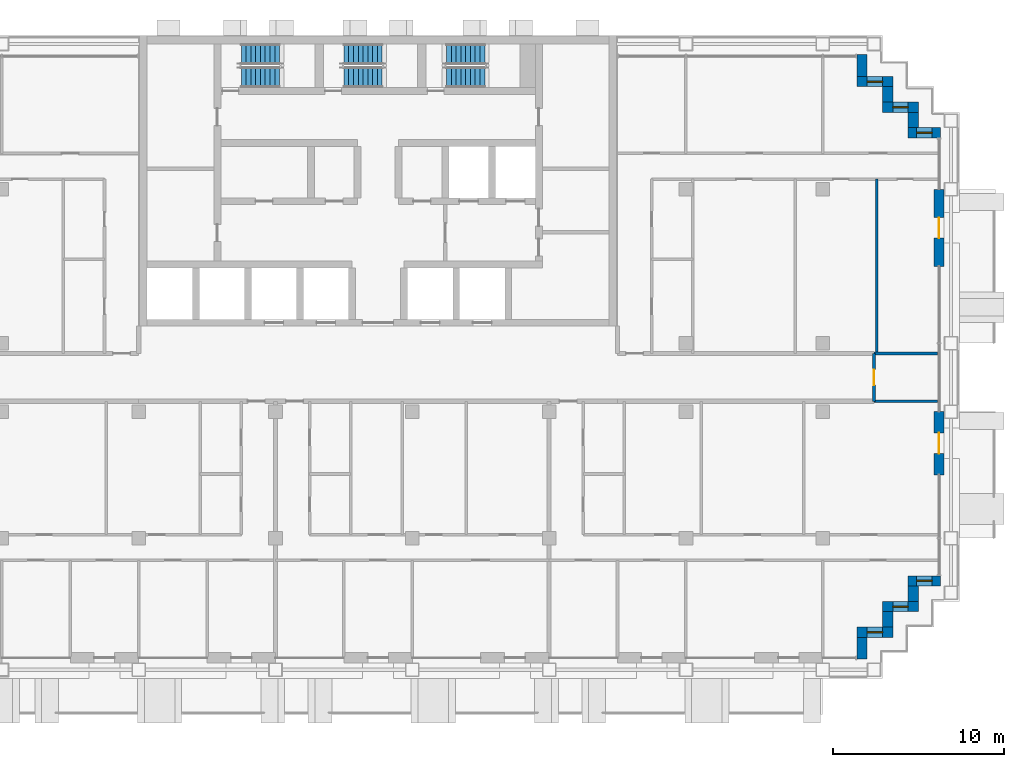
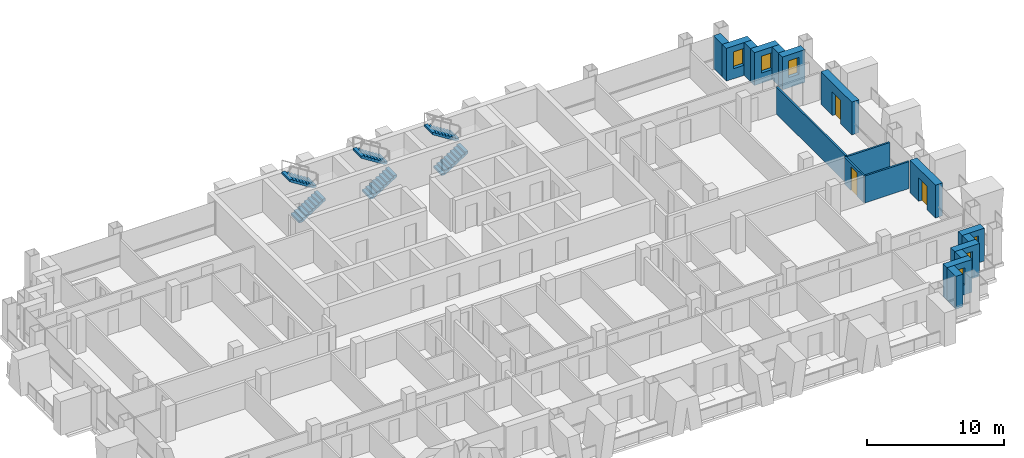
# One storey, part 12 of 16: 18 walls, 6 stair flights, 6 windows, 3 doors, 9 openings, 3 elements without a shape of their own.
"""IFC4 building model written with IfcOpenShell, lengths in metres."""

from ifc_helpers import new_model, si_unit, direction, frame, frame_2d, origin, place, context, subcontext, project, spatial, polyline, rectangle, outline, extrude, material, layer, layer_set, type_object, element, fill, aggregate, save


model = new_model("IFC4")

# Units and contexts
model_context = context("Model", 3, precision=1e-05, world=origin(), true_north=direction((0.0, 1.0)))
body_context = subcontext(model_context, "Body", "Model", "MODEL_VIEW")
ifc_project = project(units=[si_unit("LENGTHUNIT", "METRE"), si_unit("AREAUNIT", "SQUARE_METRE"), si_unit("VOLUMEUNIT", "CUBIC_METRE"), si_unit("PLANEANGLEUNIT", "RADIAN"), si_unit("MASSUNIT", "GRAM", prefix="KILO")], contexts=[model_context])

# Site, building, storey
site_placement = place(None, origin())
site = spatial("IfcSite", under=ifc_project, at=site_placement, CompositionType="ELEMENT")
building_placement = place(site_placement, origin())
building = spatial("IfcBuilding", under=site, at=building_placement, Name="Vidyagriha Tower", CompositionType="ELEMENT")
storey_placement = place(building_placement, frame((0.0, 0.0, 129.39990234375)))
storey = spatial("IfcBuildingStorey", under=building, at=storey_placement, Name="L33", CompositionType="ELEMENT", Elevation=129.39990234375)

# Wall, opening, window
ifc_material_1 = material(Name="Precast concrete C40/50 with brick facing", Category="concrete")
ifc_layer_1 = layer(ifc_material_1, 0.60009765625)
ifc_layer_set_1 = layer_set([ifc_layer_1], Name="Precast concrete C40/50 with brick facing")
wall_type_1 = type_object("IfcWallType", Name="Brick-faced precast wall 600", PredefinedType="STANDARD", material=ifc_layer_set_1)
wall_1_placement = place(storey_placement, frame((32.8798828125, 14.300048828125, 0.0), z_axis=(0.0, 0.0, 1.0), x_axis=(-1.0, 0.0, 0.0)))
wall_1 = element("IfcWall", 1, at=wall_1_placement, inside=storey, type_object=wall_type_1, Name="Stepped corner wall L33 R01", PredefinedType="STANDARD", context=body_context, shape_type="SweptSolid", body=[
    extrude(rectangle(XDim=1.8798828125, YDim=0.60009765625, at=frame_2d((0.93994140625, 0.0))), origin(), (0.0, 0.0, 1.0), 2.920166015625),
])
opening_1_placement = place(wall_1_placement, frame((0.489990234375, 0.0, 0.89990234375)))
opening_1 = element("IfcOpeningElement", 2, at=opening_1_placement, cuts=wall_1, Name="Opening WN1", PredefinedType="OPENING", context=body_context, shape_type="SweptSolid", body=[
    extrude(rectangle(XDim=0.89990234375, YDim=1.5, at=frame_2d((0.449951171875, 0.75))), frame((0.0, 0.31005859375, 0.0), z_axis=(0.0, -1.0, 0.0), x_axis=(1.0, 0.0, 0.0)), (0.0, 0.0, 1.0), 0.6201171875),
])
ifc_material_2 = material(Name="Aluminium and glass window", Category="aluminium")
window_type = type_object("IfcWindowType", Name="Reveal window 900x1500", PartitioningType="NOTDEFINED", PredefinedType="WINDOW", material=ifc_material_2)
window_1_placement = place(opening_1_placement, origin())
window_1 = element("IfcWindow", 3, at=window_1_placement, inside=storey, type_object=window_type, Name="Reveal window L33 R01", OverallHeight=1.5, OverallWidth=0.89990234375, PartitioningType="SINGLE_PANEL", PredefinedType="WINDOW", context=body_context, shape_type="SweptSolid", body=[
    extrude(rectangle(XDim=0.89990234375, YDim=1.5, at=frame_2d((0.449951171875, 0.75))), frame((0.0, 0.030029296875, 0.0), z_axis=(0.0, -1.0, 0.0), x_axis=(1.0, 0.0, 0.0)), (0.0, 0.0, 1.0), 0.06005859375),
])
fill(opening_1, window_1)

# Wall
wall_2_placement = place(storey_placement, frame((31.300048828125, 14.60009765625, 0.0), z_axis=(0.0, 0.0, 1.0), x_axis=(0.0, 1.0, 0.0)))
element("IfcWall", 4, at=wall_2_placement, inside=storey, type_object=wall_type_1, Name="Stepped corner wall L33 R02", PredefinedType="STANDARD", context=body_context, shape_type="SweptSolid", body=[
    extrude(rectangle(XDim=0.89990234375, YDim=0.60009765625, at=frame_2d((0.449951171875, 0.0))), origin(), (0.0, 0.0, 1.0), 2.920166015625),
])

# Wall, opening, window
wall_3_placement = place(storey_placement, frame((31.60009765625, 15.800048828125, 0.0), z_axis=(0.0, 0.0, 1.0), x_axis=(-1.0, 0.0, 0.0)))
wall_3 = element("IfcWall", 5, at=wall_3_placement, inside=storey, type_object=wall_type_1, Name="Stepped corner wall L33 R03", PredefinedType="STANDARD", context=body_context, shape_type="SweptSolid", body=[
    extrude(rectangle(XDim=2.10009765625, YDim=0.60009765625, at=frame_2d((1.050048828125, 0.0))), origin(), (0.0, 0.0, 1.0), 2.920166015625),
])
opening_2_placement = place(wall_3_placement, frame((0.60009765625, 0.0, 0.89990234375)))
opening_2 = element("IfcOpeningElement", 6, at=opening_2_placement, cuts=wall_3, Name="Opening WN1", PredefinedType="OPENING", context=body_context, shape_type="SweptSolid", body=[
    extrude(rectangle(XDim=0.89990234375, YDim=1.5, at=frame_2d((0.449951171875, 0.75))), frame((0.0, 0.31005859375, 0.0), z_axis=(0.0, -1.0, 0.0), x_axis=(1.0, 0.0, 0.0)), (0.0, 0.0, 1.0), 0.6201171875),
])
window_2_placement = place(opening_2_placement, origin())
window_2 = element("IfcWindow", 7, at=window_2_placement, inside=storey, type_object=window_type, Name="Reveal window L33 R03", OverallHeight=1.5, OverallWidth=0.89990234375, PartitioningType="SINGLE_PANEL", PredefinedType="WINDOW", context=body_context, shape_type="SweptSolid", body=[
    extrude(rectangle(XDim=0.89990234375, YDim=1.5, at=frame_2d((0.449951171875, 0.75))), frame((0.0, 0.030029296875, 0.0), z_axis=(0.0, -1.0, 0.0), x_axis=(1.0, 0.0, 0.0)), (0.0, 0.0, 1.0), 0.06005859375),
])
fill(opening_2, window_2)

# Wall
wall_4_placement = place(storey_placement, frame((29.800048828125, 16.10009765625, 0.0), z_axis=(0.0, 0.0, 1.0), x_axis=(0.0, 1.0, 0.0)))
element("IfcWall", 8, at=wall_4_placement, inside=storey, type_object=wall_type_1, Name="Stepped corner wall L33 R04", PredefinedType="STANDARD", context=body_context, shape_type="SweptSolid", body=[
    extrude(rectangle(XDim=0.89990234375, YDim=0.60009765625, at=frame_2d((0.449951171875, 0.0))), origin(), (0.0, 0.0, 1.0), 2.920166015625),
])

# Wall, opening, window
wall_5_placement = place(storey_placement, frame((30.10009765625, 17.300048828125, 0.0), z_axis=(0.0, 0.0, 1.0), x_axis=(-1.0, 0.0, 0.0)))
wall_5 = element("IfcWall", 9, at=wall_5_placement, inside=storey, type_object=wall_type_1, Name="Stepped corner wall L33 R05", PredefinedType="STANDARD", context=body_context, shape_type="SweptSolid", body=[
    extrude(rectangle(XDim=2.10009765625, YDim=0.60009765625, at=frame_2d((1.050048828125, 0.0))), origin(), (0.0, 0.0, 1.0), 2.920166015625),
])
opening_3_placement = place(wall_5_placement, frame((0.60009765625, 0.0, 0.89990234375)))
opening_3 = element("IfcOpeningElement", 10, at=opening_3_placement, cuts=wall_5, Name="Opening WN1", PredefinedType="OPENING", context=body_context, shape_type="SweptSolid", body=[
    extrude(rectangle(XDim=0.89990234375, YDim=1.5, at=frame_2d((0.449951171875, 0.75))), frame((0.0, 0.31005859375, 0.0), z_axis=(0.0, -1.0, 0.0), x_axis=(1.0, 0.0, 0.0)), (0.0, 0.0, 1.0), 0.6201171875),
])
window_3_placement = place(opening_3_placement, origin())
window_3 = element("IfcWindow", 11, at=window_3_placement, inside=storey, type_object=window_type, Name="Reveal window L33 R05", OverallHeight=1.5, OverallWidth=0.89990234375, PartitioningType="SINGLE_PANEL", PredefinedType="WINDOW", context=body_context, shape_type="SweptSolid", body=[
    extrude(rectangle(XDim=0.89990234375, YDim=1.5, at=frame_2d((0.449951171875, 0.75))), frame((0.0, 0.030029296875, 0.0), z_axis=(0.0, -1.0, 0.0), x_axis=(1.0, 0.0, 0.0)), (0.0, 0.0, 1.0), 0.06005859375),
])
fill(opening_3, window_3)

# Walls
wall_6_placement = place(storey_placement, frame((28.300048828125, 17.60009765625, 0.0), z_axis=(0.0, 0.0, 1.0), x_axis=(0.0, 1.0, 0.0)))
element("IfcWall", 12, at=wall_6_placement, inside=storey, type_object=wall_type_1, Name="Stepped corner wall L33 R06", PredefinedType="STANDARD", context=body_context, shape_type="SweptSolid", body=[
    extrude(rectangle(XDim=1.27978515625, YDim=0.60009765625, at=frame_2d((0.639892578125, 0.0))), origin(), (0.0, 0.0, 1.0), 2.920166015625),
])
wall_7_placement = place(storey_placement, frame((28.300048828125, -16.47998046875, 0.0), z_axis=(0.0, 0.0, 1.0), x_axis=(0.0, 1.0, 0.0)))
element("IfcWall", 13, at=wall_7_placement, inside=storey, type_object=wall_type_1, Name="Stepped corner wall L33 R24", PredefinedType="STANDARD", context=body_context, shape_type="SweptSolid", body=[
    extrude(rectangle(XDim=1.280029296875, YDim=0.60009765625, at=frame_2d((0.64013671875, 0.0))), origin(), (0.0, 0.0, 1.0), 2.920166015625),
])

# Wall, opening, window
wall_8_placement = place(storey_placement, frame((28.0, -14.89990234375, 0.0)))
wall_8 = element("IfcWall", 14, at=wall_8_placement, inside=storey, type_object=wall_type_1, Name="Stepped corner wall L33 R25", PredefinedType="STANDARD", context=body_context, shape_type="SweptSolid", body=[
    extrude(rectangle(XDim=2.10009765625, YDim=0.60009765625, at=frame_2d((1.050048828125, 0.0))), origin(), (0.0, 0.0, 1.0), 2.920166015625),
])
opening_4_placement = place(wall_8_placement, frame((0.60009765625, 0.0, 0.89990234375)))
opening_4 = element("IfcOpeningElement", 15, at=opening_4_placement, cuts=wall_8, Name="Opening WN1", PredefinedType="OPENING", context=body_context, shape_type="SweptSolid", body=[
    extrude(rectangle(XDim=0.89990234375, YDim=1.5, at=frame_2d((0.449951171875, 0.75))), frame((0.0, 0.31005859375, 0.0), z_axis=(0.0, -1.0, 0.0), x_axis=(1.0, 0.0, 0.0)), (0.0, 0.0, 1.0), 0.6201171875),
])
window_4_placement = place(opening_4_placement, origin())
window_4 = element("IfcWindow", 16, at=window_4_placement, inside=storey, type_object=window_type, Name="Reveal window L33 R25", OverallHeight=1.5, OverallWidth=0.89990234375, PartitioningType="SINGLE_PANEL", PredefinedType="WINDOW", context=body_context, shape_type="SweptSolid", body=[
    extrude(rectangle(XDim=0.89990234375, YDim=1.5, at=frame_2d((0.449951171875, 0.75))), frame((0.0, 0.030029296875, 0.0), z_axis=(0.0, -1.0, 0.0), x_axis=(1.0, 0.0, 0.0)), (0.0, 0.0, 1.0), 0.06005859375),
])
fill(opening_4, window_4)

# Wall
wall_9_placement = place(storey_placement, frame((29.800048828125, -14.60009765625, 0.0), z_axis=(0.0, 0.0, 1.0), x_axis=(0.0, 1.0, 0.0)))
element("IfcWall", 17, at=wall_9_placement, inside=storey, type_object=wall_type_1, Name="Stepped corner wall L33 R26", PredefinedType="STANDARD", context=body_context, shape_type="SweptSolid", body=[
    extrude(rectangle(XDim=0.900146484375, YDim=0.60009765625, at=frame_2d((0.4501953125, 0.0))), origin(), (0.0, 0.0, 1.0), 2.920166015625),
])

# Wall, opening, window
wall_10_placement = place(storey_placement, frame((29.5, -13.39990234375, 0.0)))
wall_10 = element("IfcWall", 18, at=wall_10_placement, inside=storey, type_object=wall_type_1, Name="Stepped corner wall L33 R27", PredefinedType="STANDARD", context=body_context, shape_type="SweptSolid", body=[
    extrude(rectangle(XDim=2.10009765625, YDim=0.60009765625, at=frame_2d((1.050048828125, 0.0))), origin(), (0.0, 0.0, 1.0), 2.920166015625),
])
opening_5_placement = place(wall_10_placement, frame((0.60009765625, 0.0, 0.89990234375)))
opening_5 = element("IfcOpeningElement", 19, at=opening_5_placement, cuts=wall_10, Name="Opening WN1", PredefinedType="OPENING", context=body_context, shape_type="SweptSolid", body=[
    extrude(rectangle(XDim=0.89990234375, YDim=1.5, at=frame_2d((0.449951171875, 0.75))), frame((0.0, 0.31005859375, 0.0), z_axis=(0.0, -1.0, 0.0), x_axis=(1.0, 0.0, 0.0)), (0.0, 0.0, 1.0), 0.6201171875),
])
window_5_placement = place(opening_5_placement, origin())
window_5 = element("IfcWindow", 20, at=window_5_placement, inside=storey, type_object=window_type, Name="Reveal window L33 R27", OverallHeight=1.5, OverallWidth=0.89990234375, PartitioningType="SINGLE_PANEL", PredefinedType="WINDOW", context=body_context, shape_type="SweptSolid", body=[
    extrude(rectangle(XDim=0.89990234375, YDim=1.5, at=frame_2d((0.449951171875, 0.75))), frame((0.0, 0.030029296875, 0.0), z_axis=(0.0, -1.0, 0.0), x_axis=(1.0, 0.0, 0.0)), (0.0, 0.0, 1.0), 0.06005859375),
])
fill(opening_5, window_5)

# Wall
wall_11_placement = place(storey_placement, frame((31.300048828125, -13.10009765625, 0.0), z_axis=(0.0, 0.0, 1.0), x_axis=(0.0, 1.0, 0.0)))
element("IfcWall", 21, at=wall_11_placement, inside=storey, type_object=wall_type_1, Name="Stepped corner wall L33 R28", PredefinedType="STANDARD", context=body_context, shape_type="SweptSolid", body=[
    extrude(rectangle(XDim=0.900146484375, YDim=0.60009765625, at=frame_2d((0.4501953125, 0.0))), origin(), (0.0, 0.0, 1.0), 2.920166015625),
])

# Wall, opening, window
wall_12_placement = place(storey_placement, frame((31.0, -11.89990234375, 0.0)))
wall_12 = element("IfcWall", 22, at=wall_12_placement, inside=storey, type_object=wall_type_1, Name="Stepped corner wall L33 R29", PredefinedType="STANDARD", context=body_context, shape_type="SweptSolid", body=[
    extrude(rectangle(XDim=1.8798828125, YDim=0.60009765625, at=frame_2d((0.93994140625, 0.0))), origin(), (0.0, 0.0, 1.0), 2.920166015625),
])
opening_6_placement = place(wall_12_placement, frame((0.489990234375, 0.0, 0.89990234375)))
opening_6 = element("IfcOpeningElement", 23, at=opening_6_placement, cuts=wall_12, Name="Opening WN1", PredefinedType="OPENING", context=body_context, shape_type="SweptSolid", body=[
    extrude(rectangle(XDim=0.89990234375, YDim=1.5, at=frame_2d((0.449951171875, 0.75))), frame((0.0, 0.31005859375, 0.0), z_axis=(0.0, -1.0, 0.0), x_axis=(1.0, 0.0, 0.0)), (0.0, 0.0, 1.0), 0.6201171875),
])
window_6_placement = place(opening_6_placement, origin())
window_6 = element("IfcWindow", 24, at=window_6_placement, inside=storey, type_object=window_type, Name="Reveal window L33 R29", OverallHeight=1.5, OverallWidth=0.89990234375, PartitioningType="SINGLE_PANEL", PredefinedType="WINDOW", context=body_context, shape_type="SweptSolid", body=[
    extrude(rectangle(XDim=0.89990234375, YDim=1.5, at=frame_2d((0.449951171875, 0.75))), frame((0.0, 0.030029296875, 0.0), z_axis=(0.0, -1.0, 0.0), x_axis=(1.0, 0.0, 0.0)), (0.0, 0.0, 1.0), 0.06005859375),
])
fill(opening_6, window_6)

# Wall, opening, door
wall_13_placement = place(storey_placement, frame((32.800048828125, -5.699951171875, 0.0), z_axis=(0.0, 0.0, 1.0), x_axis=(0.0, 1.0, 0.0)))
wall_13 = element("IfcWall", 25, at=wall_13_placement, inside=storey, type_object=wall_type_1, Name="Brick door bay wall L33 R30.3", PredefinedType="STANDARD", context=body_context, shape_type="SweptSolid", body=[
    extrude(rectangle(XDim=3.699951171875, YDim=0.60009765625, at=frame_2d((1.85009765625, 0.0))), origin(), (0.0, 0.0, 1.0), 2.920166015625),
])
opening_7_placement = place(wall_13_placement, frame((1.25, 0.0, 0.0)))
opening_7 = element("IfcOpeningElement", 26, at=opening_7_placement, cuts=wall_13, Name="Opening D33-74", PredefinedType="OPENING", context=body_context, shape_type="SweptSolid", body=[
    extrude(rectangle(XDim=1.199951171875, YDim=2.10009765625, at=frame_2d((0.60009765625, 1.050048828125))), frame((0.0, 0.31005859375, 0.0), z_axis=(0.0, -1.0, 0.0), x_axis=(1.0, 0.0, 0.0)), (0.0, 0.0, 1.0), 0.6201171875),
])
ifc_material_3 = material(Name="Aluminium framed glazed sliding door", Category="aluminium")
door_type_1 = type_object("IfcDoorType", Name="Balcony sliding door 1200x2100", OperationType="NOTDEFINED", PredefinedType="DOOR", material=ifc_material_3)
door_1_placement = place(opening_7_placement, origin())
door_1 = element("IfcDoor", 27, at=door_1_placement, inside=storey, type_object=door_type_1, Name="Door D33-74", OperationType="SLIDING_TO_LEFT", OverallHeight=2.10009765625, OverallWidth=1.199951171875, PredefinedType="DOOR", context=body_context, shape_type="SweptSolid", body=[
    extrude(rectangle(XDim=1.199951171875, YDim=2.10009765625, at=frame_2d((0.60009765625, 1.050048828125))), frame((0.0, 0.02490234375, 0.0), z_axis=(0.0, -1.0, 0.0), x_axis=(1.0, 0.0, 0.0)), (0.0, 0.0, 1.0), 0.050048828125),
])
fill(opening_7, door_1)

wall_14_placement = place(storey_placement, frame((32.800048828125, 6.5, 0.0), z_axis=(0.0, 0.0, 1.0), x_axis=(0.0, 1.0, 0.0)))
wall_14 = element("IfcWall", 28, at=wall_14_placement, inside=storey, type_object=wall_type_1, Name="Brick door bay wall L33 R30.6", PredefinedType="STANDARD", context=body_context, shape_type="SweptSolid", body=[
    extrude(rectangle(XDim=4.5, YDim=0.60009765625, at=frame_2d((2.25, 0.0))), origin(), (0.0, 0.0, 1.0), 2.920166015625),
])
opening_8_placement = place(wall_14_placement, frame((1.64990234375, 0.0, 0.0)))
opening_8 = element("IfcOpeningElement", 29, at=opening_8_placement, cuts=wall_14, Name="Opening D33-75", PredefinedType="OPENING", context=body_context, shape_type="SweptSolid", body=[
    extrude(rectangle(XDim=1.199951171875, YDim=2.10009765625, at=frame_2d((0.60009765625, 1.050048828125))), frame((0.0, 0.31005859375, 0.0), z_axis=(0.0, -1.0, 0.0), x_axis=(1.0, 0.0, 0.0)), (0.0, 0.0, 1.0), 0.6201171875),
])
door_2_placement = place(opening_8_placement, origin())
door_2 = element("IfcDoor", 30, at=door_2_placement, inside=storey, type_object=door_type_1, Name="Door D33-75", OperationType="SLIDING_TO_LEFT", OverallHeight=2.10009765625, OverallWidth=1.199951171875, PredefinedType="DOOR", context=body_context, shape_type="SweptSolid", body=[
    extrude(rectangle(XDim=1.199951171875, YDim=2.10009765625, at=frame_2d((0.60009765625, 1.050048828125))), frame((0.0, 0.02490234375, 0.0), z_axis=(0.0, -1.0, 0.0), x_axis=(1.0, 0.0, 0.0)), (0.0, 0.0, 1.0), 0.050048828125),
])
fill(opening_8, door_2)

# Walls
ifc_material_4 = material(Name="Gypsum board partition")
ifc_layer_2 = layer(ifc_material_4, 0.14990234375)
ifc_layer_set_2 = layer_set([ifc_layer_2], Name="Gypsum board partition")
wall_type_2 = type_object("IfcWallType", Name="Gypsum board partition 150", PredefinedType="PARTITIONING", material=ifc_layer_set_2)
wall_15_placement = place(storey_placement, frame((32.719970703125, -1.39990234375, 0.0), z_axis=(0.0, 0.0, 1.0), x_axis=(-1.0, 0.0, 0.0)))
element("IfcWall", 31, at=wall_15_placement, inside=storey, type_object=wall_type_2, Name="Wall all-L33-w066", PredefinedType="PARTITIONING", context=body_context, shape_type="SweptSolid", body=[
    extrude(rectangle(XDim=3.719970703125, YDim=0.14990234375, at=frame_2d((1.85986328125, 0.0))), origin(), (0.0, 0.0, 1.0), 2.400146484375),
])
wall_16_placement = place(storey_placement, frame((29.14990234375, 11.60009765625, 0.0), z_axis=(0.0, 0.0, 1.0), x_axis=(0.0, -1.0, 0.0)))
element("IfcWall", 32, at=wall_16_placement, inside=storey, type_object=wall_type_2, Name="Wall all-L33-w096", PredefinedType="PARTITIONING", context=body_context, shape_type="SweptSolid", body=[
    extrude(rectangle(XDim=10.2001953125, YDim=0.14990234375, at=frame_2d((5.10009765625, 0.0))), origin(), (0.0, 0.0, 1.0), 2.400146484375),
])
wall_17_placement = place(storey_placement, frame((29.0, 1.39990234375, 0.0)))
element("IfcWall", 33, at=wall_17_placement, inside=storey, type_object=wall_type_2, Name="Wall all-L33-w109", PredefinedType="PARTITIONING", context=body_context, shape_type="SweptSolid", body=[
    extrude(rectangle(XDim=3.719970703125, YDim=0.14990234375, at=frame_2d((1.85986328125, 0.0))), origin(), (0.0, 0.0, 1.0), 2.400146484375),
])

# Wall, opening, door
wall_18_placement = place(storey_placement, frame((29.0, -1.39990234375, 0.0), z_axis=(0.0, 0.0, 1.0), x_axis=(0.0, 1.0, 0.0)))
wall_18 = element("IfcWall", 34, at=wall_18_placement, inside=storey, type_object=wall_type_2, Name="Wall all-L33-w112", PredefinedType="PARTITIONING", context=body_context, shape_type="SweptSolid", body=[
    extrude(rectangle(XDim=2.7998046875, YDim=0.14990234375, at=frame_2d((1.39990234375, 0.0))), origin(), (0.0, 0.0, 1.0), 2.400146484375),
])
opening_9_placement = place(wall_18_placement, frame((0.949951171875, 0.0, 0.0)))
opening_9 = element("IfcOpeningElement", 35, at=opening_9_placement, cuts=wall_18, Name="Opening D33-64", PredefinedType="OPENING", context=body_context, shape_type="SweptSolid", body=[
    extrude(rectangle(XDim=0.89990234375, YDim=2.10009765625, at=frame_2d((0.449951171875, 1.050048828125))), frame((0.0, 0.0849609375, 0.0), z_axis=(0.0, -1.0, 0.0), x_axis=(1.0, 0.0, 0.0)), (0.0, 0.0, 1.0), 0.169921875),
])
ifc_material_5 = material(Name="Timber door leaf", Category="wood")
door_type_2 = type_object("IfcDoorType", Name="Room door 900x2100", OperationType="NOTDEFINED", PredefinedType="DOOR", material=ifc_material_5)
door_3_placement = place(opening_9_placement, origin())
door_3 = element("IfcDoor", 36, at=door_3_placement, inside=storey, type_object=door_type_2, Name="Door D33-64", OperationType="SINGLE_SWING_RIGHT", OverallHeight=2.10009765625, OverallWidth=0.89990234375, PredefinedType="DOOR", context=body_context, shape_type="SweptSolid", body=[
    extrude(rectangle(XDim=0.89990234375, YDim=2.10009765625, at=frame_2d((0.449951171875, 1.050048828125))), frame((0.0, 0.02490234375, 0.0), z_axis=(0.0, -1.0, 0.0), x_axis=(1.0, 0.0, 0.0)), (0.0, 0.0, 1.0), 0.050048828125),
])
fill(opening_9, door_3)

# Stair, stair flights
ifc_material_6 = material(Name="Concrete C40/50", Category="concrete")
stair_type = type_object("IfcStairType", Name="Exit stair, half-turn, precast flights", PredefinedType="HALF_TURN_STAIR", material=ifc_material_6)
stair_1_placement = place(storey_placement, origin())
stair_1 = element("IfcStair", 37, at=stair_1_placement, inside=storey, type_object=stair_type, Name="L33 Exit Stair ST1", PredefinedType="HALF_TURN_STAIR")
ifc_material_7 = material(Name="Precast concrete C40/50", Category="concrete")
stair_flight_type = type_object("IfcStairFlightType", Name="Exit stair flight 1200 mm, precast", PredefinedType="STRAIGHT", material=ifc_material_7)
stair_flight_1_placement = place(storey_placement, frame((-8.0, 17.550048828125, 0.0)))
stair_flight_1 = element("IfcStairFlight", 38, at=stair_flight_1_placement, type_object=stair_flight_type, Name="ST1 flight 1", NumberOfRisers=9, NumberOfTreads=8, PredefinedType="STRAIGHT", RiserHeight=0.177777778, TreadLength=0.28, context=body_context, shape_type="SweptSolid", body=[
    extrude(outline(polyline([(0.0, 0.0), (0.0, 0.177734375), (0.280029296875, 0.177734375), (0.280029296875, 0.35546875), (0.56005859375, 0.35546875), (0.56005859375, 0.533447265625), (0.840087890625, 0.533447265625), (0.840087890625, 0.711181640625), (1.1201171875, 0.711181640625), (1.1201171875, 0.888916015625), (1.39990234375, 0.888916015625), (1.39990234375, 1.066650390625), (1.679931640625, 1.066650390625), (1.679931640625, 1.244384765625), (1.9599609375, 1.244384765625), (1.9599609375, 1.422119140625), (2.239990234375, 1.422119140625), (2.239990234375, 1.60009765625), (2.239990234375, 1.24462890625), (0.27978515625, 0.0), (0.0, 0.0)])), frame((0.0, 0.60009765625, 0.0), z_axis=(0.0, -1.0, 0.0), x_axis=(1.0, 0.0, 0.0)), (0.0, 0.0, 1.0), 1.199951171875),
])
stair_flight_2_placement = place(storey_placement, frame((-5.760009765625, 18.89990234375, 1.60009765625), z_axis=(0.0, 0.0, 1.0), x_axis=(-1.0, 0.0, 0.0)))
stair_flight_2 = element("IfcStairFlight", 39, at=stair_flight_2_placement, type_object=stair_flight_type, Name="ST1 flight 2", NumberOfRisers=9, NumberOfTreads=8, PredefinedType="STRAIGHT", RiserHeight=0.177777778, TreadLength=0.28, context=body_context, shape_type="SweptSolid", body=[
    extrude(outline(polyline([(0.0, 0.0), (0.0, 0.177734375), (0.280029296875, 0.177734375), (0.280029296875, 0.35546875), (0.56005859375, 0.35546875), (0.56005859375, 0.533447265625), (0.840087890625, 0.533447265625), (0.840087890625, 0.711181640625), (1.1201171875, 0.711181640625), (1.1201171875, 0.888916015625), (1.39990234375, 0.888916015625), (1.39990234375, 1.066650390625), (1.679931640625, 1.066650390625), (1.679931640625, 1.244384765625), (1.9599609375, 1.244384765625), (1.9599609375, 1.422119140625), (2.239990234375, 1.422119140625), (2.239990234375, 1.60009765625), (2.239990234375, 1.24462890625), (0.27978515625, 0.0), (0.0, 0.0)])), frame((0.0, 0.60009765625, 0.0), z_axis=(0.0, -1.0, 0.0), x_axis=(1.0, 0.0, 0.0)), (0.0, 0.0, 1.0), 1.199951171875),
])
aggregate(stair_1, [stair_flight_1, stair_flight_2])

stair_2_placement = place(storey_placement, origin())
stair_2 = element("IfcStair", 40, at=stair_2_placement, inside=storey, type_object=stair_type, Name="L33 Exit Stair ST2", PredefinedType="HALF_TURN_STAIR")
stair_flight_3_placement = place(storey_placement, frame((-2.0, 17.550048828125, 0.0)))
stair_flight_3 = element("IfcStairFlight", 41, at=stair_flight_3_placement, type_object=stair_flight_type, Name="ST2 flight 1", NumberOfRisers=9, NumberOfTreads=8, PredefinedType="STRAIGHT", RiserHeight=0.177777778, TreadLength=0.28, context=body_context, shape_type="SweptSolid", body=[
    extrude(outline(polyline([(0.0, 0.0), (0.0, 0.177734375), (0.280029296875, 0.177734375), (0.280029296875, 0.35546875), (0.56005859375, 0.35546875), (0.56005859375, 0.533447265625), (0.840087890625, 0.533447265625), (0.840087890625, 0.711181640625), (1.1201171875, 0.711181640625), (1.1201171875, 0.888916015625), (1.39990234375, 0.888916015625), (1.39990234375, 1.066650390625), (1.679931640625, 1.066650390625), (1.679931640625, 1.244384765625), (1.9599609375, 1.244384765625), (1.9599609375, 1.422119140625), (2.239990234375, 1.422119140625), (2.239990234375, 1.60009765625), (2.239990234375, 1.24462890625), (0.27978515625, 0.0), (0.0, 0.0)])), frame((0.0, 0.60009765625, 0.0), z_axis=(0.0, -1.0, 0.0), x_axis=(1.0, 0.0, 0.0)), (0.0, 0.0, 1.0), 1.199951171875),
])
stair_flight_4_placement = place(storey_placement, frame((0.239990234375, 18.89990234375, 1.60009765625), z_axis=(0.0, 0.0, 1.0), x_axis=(-1.0, 0.0, 0.0)))
stair_flight_4 = element("IfcStairFlight", 42, at=stair_flight_4_placement, type_object=stair_flight_type, Name="ST2 flight 2", NumberOfRisers=9, NumberOfTreads=8, PredefinedType="STRAIGHT", RiserHeight=0.177777778, TreadLength=0.28, context=body_context, shape_type="SweptSolid", body=[
    extrude(outline(polyline([(0.0, 0.0), (0.0, 0.177734375), (0.280029296875, 0.177734375), (0.280029296875, 0.35546875), (0.56005859375, 0.35546875), (0.56005859375, 0.533447265625), (0.840087890625, 0.533447265625), (0.840087890625, 0.711181640625), (1.1201171875, 0.711181640625), (1.1201171875, 0.888916015625), (1.39990234375, 0.888916015625), (1.39990234375, 1.066650390625), (1.679931640625, 1.066650390625), (1.679931640625, 1.244384765625), (1.9599609375, 1.244384765625), (1.9599609375, 1.422119140625), (2.239990234375, 1.422119140625), (2.239990234375, 1.60009765625), (2.239990234375, 1.24462890625), (0.27978515625, 0.0), (0.0, 0.0)])), frame((0.0, 0.60009765625, 0.0), z_axis=(0.0, -1.0, 0.0), x_axis=(1.0, 0.0, 0.0)), (0.0, 0.0, 1.0), 1.199951171875),
])
aggregate(stair_2, [stair_flight_3, stair_flight_4])

stair_3_placement = place(storey_placement, origin())
stair_3 = element("IfcStair", 43, at=stair_3_placement, inside=storey, type_object=stair_type, Name="L33 Exit Stair ST3", PredefinedType="HALF_TURN_STAIR")
stair_flight_5_placement = place(storey_placement, frame((4.0, 17.550048828125, 0.0)))
stair_flight_5 = element("IfcStairFlight", 44, at=stair_flight_5_placement, type_object=stair_flight_type, Name="ST3 flight 1", NumberOfRisers=9, NumberOfTreads=8, PredefinedType="STRAIGHT", RiserHeight=0.177777778, TreadLength=0.28, context=body_context, shape_type="SweptSolid", body=[
    extrude(outline(polyline([(0.0, 0.0), (0.0, 0.177734375), (0.280029296875, 0.177734375), (0.280029296875, 0.35546875), (0.56005859375, 0.35546875), (0.56005859375, 0.533447265625), (0.840087890625, 0.533447265625), (0.840087890625, 0.711181640625), (1.1201171875, 0.711181640625), (1.1201171875, 0.888916015625), (1.39990234375, 0.888916015625), (1.39990234375, 1.066650390625), (1.679931640625, 1.066650390625), (1.679931640625, 1.244384765625), (1.9599609375, 1.244384765625), (1.9599609375, 1.422119140625), (2.239990234375, 1.422119140625), (2.239990234375, 1.60009765625), (2.239990234375, 1.24462890625), (0.27978515625, 0.0), (0.0, 0.0)])), frame((0.0, 0.60009765625, 0.0), z_axis=(0.0, -1.0, 0.0), x_axis=(1.0, 0.0, 0.0)), (0.0, 0.0, 1.0), 1.199951171875),
])
stair_flight_6_placement = place(storey_placement, frame((6.239990234375, 18.89990234375, 1.60009765625), z_axis=(0.0, 0.0, 1.0), x_axis=(-1.0, 0.0, 0.0)))
stair_flight_6 = element("IfcStairFlight", 45, at=stair_flight_6_placement, type_object=stair_flight_type, Name="ST3 flight 2", NumberOfRisers=9, NumberOfTreads=8, PredefinedType="STRAIGHT", RiserHeight=0.177777778, TreadLength=0.28, context=body_context, shape_type="SweptSolid", body=[
    extrude(outline(polyline([(0.0, 0.0), (0.0, 0.177734375), (0.280029296875, 0.177734375), (0.280029296875, 0.35546875), (0.56005859375, 0.35546875), (0.56005859375, 0.533447265625), (0.840087890625, 0.533447265625), (0.840087890625, 0.711181640625), (1.1201171875, 0.711181640625), (1.1201171875, 0.888916015625), (1.39990234375, 0.888916015625), (1.39990234375, 1.066650390625), (1.679931640625, 1.066650390625), (1.679931640625, 1.244384765625), (1.9599609375, 1.244384765625), (1.9599609375, 1.422119140625), (2.239990234375, 1.422119140625), (2.239990234375, 1.60009765625), (2.239990234375, 1.24462890625), (0.27978515625, 0.0), (0.0, 0.0)])), frame((0.0, 0.60009765625, 0.0), z_axis=(0.0, -1.0, 0.0), x_axis=(1.0, 0.0, 0.0)), (0.0, 0.0, 1.0), 1.199951171875),
])
aggregate(stair_3, [stair_flight_5, stair_flight_6])

save(model, "model.ifc")
